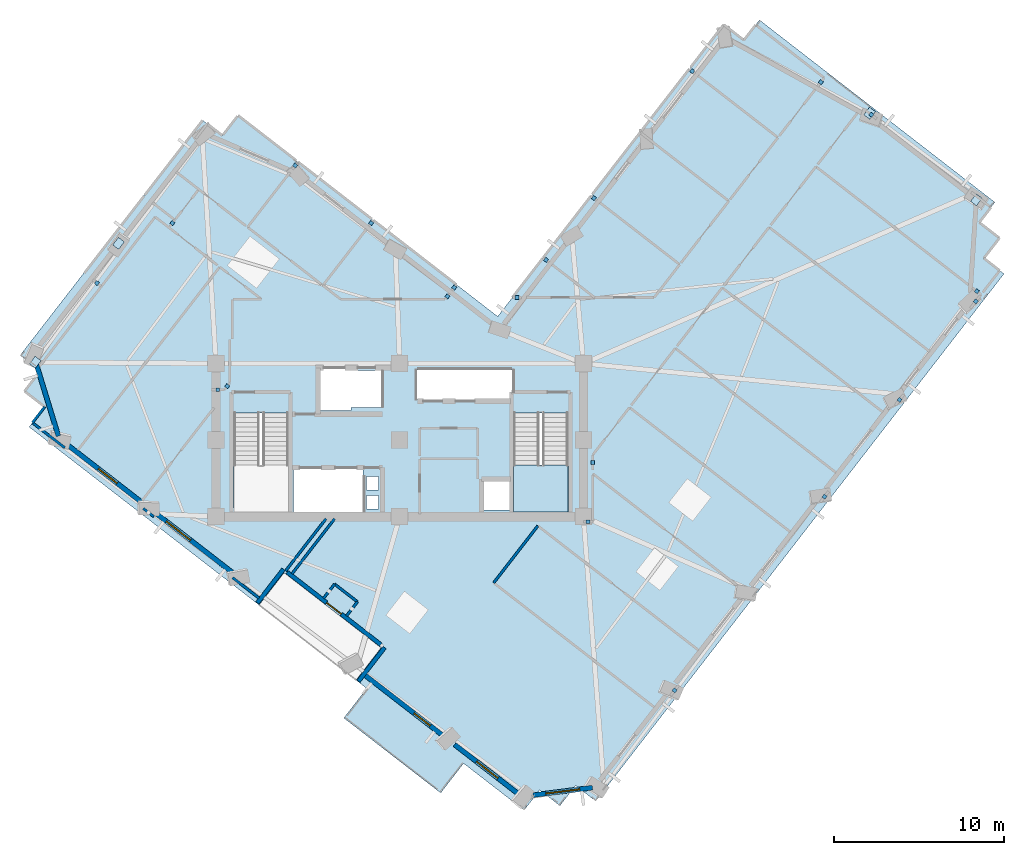
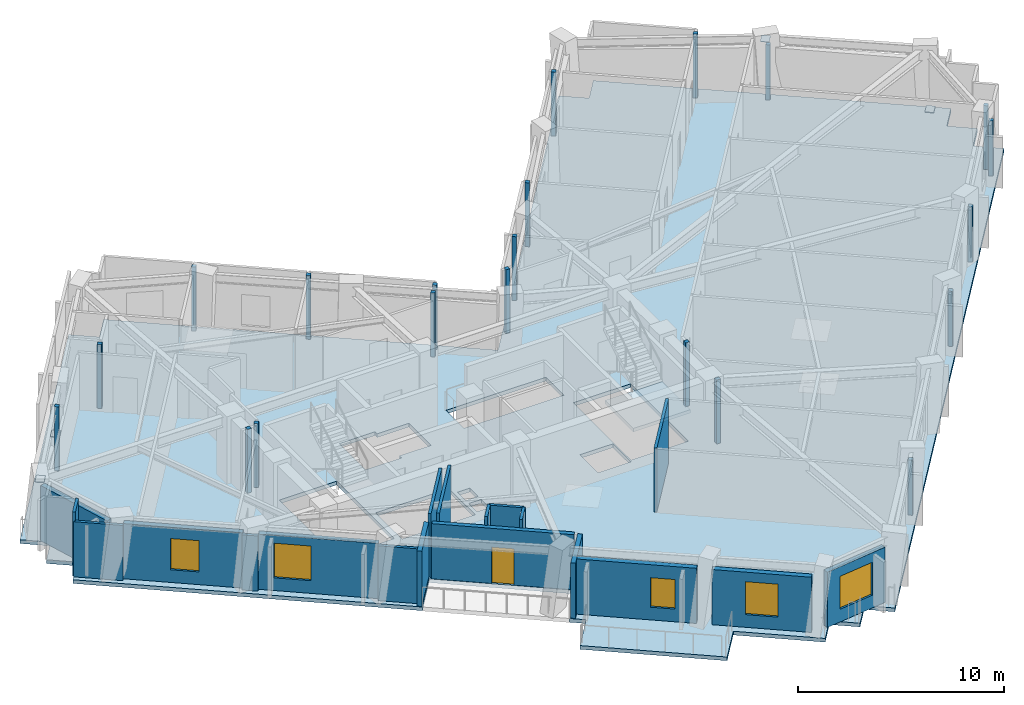
# One storey, part 3 of 12: 25 plates, 19 walls, 5 windows, 2 slabs, 1 door, 6 openings, 1 element without a shape of its own.
"""IFC4 building model written with IfcOpenShell, lengths in metres."""

from ifc_helpers import new_model, si_unit, direction, frame, frame_2d, origin, origin_2d, place, context, subcontext, project, spatial, polyline, rectangle, outline, extrude, material, layer, layer_set, type_object, element, fill, aggregate, save


model = new_model("IFC4")

# Units and contexts
model_context = context("Model", 3, precision=1e-05, world=origin(), true_north=direction((0.0, 1.0)))
body_context = subcontext(model_context, "Body", "Model", "MODEL_VIEW")
ifc_project = project(units=[si_unit("LENGTHUNIT", "METRE"), si_unit("AREAUNIT", "SQUARE_METRE"), si_unit("VOLUMEUNIT", "CUBIC_METRE"), si_unit("PLANEANGLEUNIT", "RADIAN"), si_unit("MASSUNIT", "GRAM", prefix="KILO")], contexts=[model_context])

# Site, building, storey
site_placement = place(None, origin())
site = spatial("IfcSite", under=ifc_project, at=site_placement, CompositionType="ELEMENT")
building_placement = place(site_placement, origin())
building = spatial("IfcBuilding", under=site, at=building_placement, Name="Gaonmaruhae Medical Tower", CompositionType="ELEMENT")
storey_placement = place(building_placement, frame((0.0, 0.0, 247.199951171875)))
storey = spatial("IfcBuildingStorey", under=building, at=storey_placement, Name="L59", CompositionType="ELEMENT", Elevation=247.199951171875)

# Slab
ifc_material_1 = material(Name="Concrete C40/50", Category="concrete")
ifc_layer_1 = layer(ifc_material_1, 0.219970703125)
ifc_layer_set_1 = layer_set([ifc_layer_1], Name="Concrete C40/50")
slab_type_1 = type_object("IfcSlabType", Name="FS-220 Clinical Ward Composite Floor Slab", PredefinedType="FLOOR", material=ifc_layer_set_1)
slab_1_placement = place(storey_placement, frame((0.0, 0.0, -0.219970703125)))
element("IfcSlab", 1, at=slab_1_placement, inside=storey, type_object=slab_type_1, Name="L59 Structural Slab 1", PredefinedType="FLOOR", context=body_context, shape_type="SweptSolid", body=[
    extrude(outline(polyline([(3.9345703125, 14.25439453125), (2.74853515625, 15.172607421875), (3.666748046875, 16.35888671875), (2.480712890625, 17.277099609375), (13.194580078125, 31.1142578125), (14.380615234375, 30.19580078125), (15.298828125, 31.3818359375), (30.55908203125, 19.566162109375), (43.844482421875, 36.72412109375), (45.030517578125, 35.8056640625), (45.94873046875, 36.99169921875), (59.785888671875, 26.278076171875), (58.867431640625, 25.091796875), (60.053466796875, 24.173583984375), (59.13525390625, 22.987548828125), (60.3212890625, 22.069091796875), (36.322265625, -8.92578125), (35.13623046875, -8.007568359375), (34.218017578125, -9.193603515625), (33.031982421875, -8.275146484375), (32.113525390625, -9.461181640625), (28.555419921875, -6.706298828125), (27.20849609375, -8.44580078125), (21.515625, -4.037841796875), (22.862548828125, -2.29833984375), (22.22998046875, -1.80859375), (23.69921875, 0.089111328125), (18.00634765625, 4.4970703125), (16.537109375, 2.599609375), (3.01611328125, 13.068359375), (3.9345703125, 14.25439453125)]), holes=[polyline([(23.550048828125, 8.25), (22.85009765625, 8.25), (22.85009765625, 9.050048828125), (23.550048828125, 9.050048828125), (23.550048828125, 8.25)]), polyline([(31.425048828125, 9.925048828125), (31.425048828125, 8.175048828125), (29.574951171875, 8.175048828125), (29.574951171875, 9.925048828125), (31.425048828125, 9.925048828125)]), polyline([(22.64990234375, 10.625), (22.64990234375, 8.074951171875), (18.550048828125, 8.074951171875), (18.550048828125, 10.625), (22.64990234375, 10.625)]), polyline([(23.550048828125, 9.35009765625), (22.85009765625, 9.35009765625), (22.85009765625, 10.14990234375), (23.550048828125, 10.14990234375), (23.550048828125, 9.35009765625)]), polyline([(15.050048828125, 13.889892578125), (18.25, 13.889892578125), (18.25, 8.300048828125), (15.050048828125, 8.300048828125), (15.050048828125, 13.889892578125)]), polyline([(31.5, 13.889892578125), (34.699951171875, 13.889892578125), (34.699951171875, 8.300048828125), (31.5, 8.300048828125), (31.5, 13.889892578125)]), polyline([(21.949951171875, 14.22509765625), (21.949951171875, 14.02490234375), (19.949951171875, 14.02490234375), (19.949951171875, 16.574951171875), (21.949951171875, 16.574951171875), (21.949951171875, 16.375), (23.72509765625, 16.375), (23.72509765625, 14.22509765625), (21.949951171875, 14.22509765625)]), polyline([(31.425048828125, 16.425048828125), (31.425048828125, 14.675048828125), (25.824951171875, 14.675048828125), (25.824951171875, 16.425048828125), (31.425048828125, 16.425048828125)])]), origin(), (0.0, 0.0, 1.0), 0.219970703125),
])

# Plates
ifc_material_2 = material(Name="Steel HSA650 (650 MPa)", Category="steel")
ifc_layer_2 = layer(ifc_material_2, 0.028076171875)
ifc_layer_set_2 = layer_set([ifc_layer_2], Name="Steel HSA650 (650 MPa)")
plate_type_1 = type_object("IfcPlateType", Name="GP-02 Tube Brace End Cap Gusset Plate", PredefinedType="USERDEFINED", material=ifc_layer_set_2)
for number, where, z_axis, x_axis, name in (
    (2, (58.697998046875, 26.4248046875, 0.23583984375), (0.0, 0.0, 1.0), (0.612217280034, 0.790689573744, 0.0), "L59 Gusset Cap Plate PLT-L59-PBR-E01A"),
    (3, (52.421875, 31.512939453125, 3.51611328125), (0.0, 0.0, 1.0), (0.599023598516, 0.800731370949, 0.0), "L59 Gusset Cap Plate PLT-L59-PBR-E01B"),
    (4, (8.2724609375, 23.85888671875, 0.23583984375), (0.0, 0.0, 1.0), (0.612217280034, 0.790689573744, 0.0), "L59 Gusset Cap Plate PLT-L59-PBR-N02A"),
    (5, (3.379638671875, 16.873046875, 3.51611328125), (0.0, 0.0, 1.0), (0.599023598516, 0.800731370949, 0.0), "L59 Gusset Cap Plate PLT-L59-PBR-N02B"),
):
    element("IfcPlate", number, at=place(storey_placement, frame(where, z_axis=z_axis, x_axis=x_axis)), inside=storey, type_object=plate_type_1, Name=name, ObjectType="GUSSET_PLATE", PredefinedType="USERDEFINED", context=body_context, shape_type="SweptSolid", body=[
        extrude(rectangle(XDim=0.56005859375, YDim=0.43994140625, at=origin_2d()), origin(), (0.0, 0.0, 1.0), 0.028076171875),
    ])
ifc_material_3 = material(Name="Anodised aluminium 6063-T6", Category="aluminium")
ifc_layer_3 = layer(ifc_material_3, 0.011962890625)
ifc_layer_set_3 = layer_set([ifc_layer_3], Name="Anodised aluminium 6063-T6")
plate_type_2 = type_object("IfcPlateType", Name="PP-01 Interior Partition Corner Stiffener Plate", PredefinedType="SHEET", material=ifc_layer_set_3)
plate_1_placement = place(storey_placement, frame((40.9580078125, -2.41552734375, 0.0), z_axis=(0.0, 0.0, 1.0), x_axis=(-0.613472319751, -0.789716223019, 0.0)))
element("IfcPlate", 6, at=plate_1_placement, inside=storey, type_object=plate_type_2, Name="L59 Partition Corner Stiffener Plate PLT-L59-JGP-PW009", PredefinedType="SHEET", context=body_context, shape_type="SweptSolid", body=[
    extrude(rectangle(XDim=0.219970703125, YDim=0.219970703125, at=origin_2d()), origin(), (0.0, 0.0, 1.0), 3.264892578125),
])
for number, where, z_axis, x_axis, name in (
    (7, (35.875, 7.5, 0.0), (0.0, 0.0, 1.0), (1.0, 0.0, 0.0), "L59 Partition Corner Stiffener Plate PLT-L59-JGP-PW012"),
    (8, (36.14990234375, 10.9794921875, 0.0), (0.0, 0.0, 1.0), (0.0, 1.0, 0.0), "L59 Partition Corner Stiffener Plate PLT-L59-JGP-PW015"),
):
    element("IfcPlate", number, at=place(storey_placement, frame(where, z_axis=z_axis, x_axis=x_axis)), inside=storey, type_object=plate_type_2, Name=name, PredefinedType="SHEET", context=body_context, shape_type="SweptSolid", body=[
        extrude(rectangle(XDim=0.219970703125, YDim=0.219970703125, at=origin_2d()), origin(), (0.0, 0.0, 1.0), 3.780029296875),
    ])
for number, where, z_axis, x_axis, name in (
    (9, (49.77392578125, 8.969482421875, 0.0), (0.0, 0.0, 1.0), (-0.612631200187, -0.790368909154, 0.0), "L59 Partition Corner Stiffener Plate PLT-L59-JGP-PW019"),
    (10, (54.180908203125, 14.662109375, 0.0), (0.0, 0.0, 1.0), (-0.611665125429, -0.791116789314, 0.0), "L59 Partition Corner Stiffener Plate PLT-L59-JGP-PW024"),
):
    element("IfcPlate", number, at=place(storey_placement, frame(where, z_axis=z_axis, x_axis=x_axis)), inside=storey, type_object=plate_type_2, Name=name, PredefinedType="SHEET", context=body_context, shape_type="SweptSolid", body=[
        extrude(rectangle(XDim=0.219970703125, YDim=0.219970703125, at=origin_2d()), origin(), (0.0, 0.0, 1.0), 3.264892578125),
    ])
plate_2_placement = place(storey_placement, frame((58.721923828125, 21.050048828125, 0.0), z_axis=(0.0, 0.0, 1.0), x_axis=(0.79052926854, -0.612424261098, 0.0)))
element("IfcPlate", 11, at=plate_2_placement, inside=storey, type_object=plate_type_2, Name="L59 Partition Corner Stiffener Plate PLT-L59-JGP-PW027", PredefinedType="SHEET", context=body_context, shape_type="SweptSolid", body=[
    extrude(rectangle(XDim=0.219970703125, YDim=0.219970703125, at=origin_2d()), origin(), (0.0, 0.0, 1.0), 3.780029296875),
])
for number, where, z_axis, x_axis, name in (
    (12, (58.6640625, 20.451904296875, 0.0), (0.0, 0.0, 1.0), (-0.611899827578, -0.790935269798, 0.0), "L59 Partition Corner Stiffener Plate PLT-L59-JGP-PW028"),
    (13, (52.5205078125, 31.423583984375, 0.0), (0.0, 0.0, 1.0), (0.790582709629, -0.612355272073, 0.0), "L59 Partition Corner Stiffener Plate PLT-L59-JGP-PW033"),
):
    element("IfcPlate", number, at=place(storey_placement, frame(where, z_axis=z_axis, x_axis=x_axis)), inside=storey, type_object=plate_type_2, Name=name, PredefinedType="SHEET", context=body_context, shape_type="SweptSolid", body=[
        extrude(rectangle(XDim=0.219970703125, YDim=0.219970703125, at=origin_2d()), origin(), (0.0, 0.0, 1.0), 3.264892578125),
    ])
for number, where, z_axis, x_axis, name in (
    (14, (14.660888671875, 15.465576171875, 0.0), (0.0, 0.0, 1.0), (-0.611941240013, -0.790903229713, 0.0), "L59 Partition Corner Stiffener Plate PLT-L59-JGP-PW050"),
    (15, (14.10107421875, 15.260009765625, 0.0), (0.0, 0.0, 1.0), (-1.0, 0.0, 0.0), "L59 Partition Corner Stiffener Plate PLT-L59-JGP-PW051"),
    (16, (36.219970703125, 26.52197265625, 0.0), (0.0, 0.0, 1.0), (0.791084761518, -0.611706547368, 0.0), "L59 Partition Corner Stiffener Plate PLT-L59-JGP-PW062"),
    (17, (33.405029296875, 22.885986328125, 0.0), (0.0, 0.0, 1.0), (-0.791084761518, 0.611706547368, 0.0), "L59 Partition Corner Stiffener Plate PLT-L59-JGP-PW067"),
    (18, (41.99609375, 33.98193359375, 0.0), (0.0, 0.0, 1.0), (0.791084761518, -0.611706547368, 0.0), "L59 Partition Corner Stiffener Plate PLT-L59-JGP-PW073"),
    (19, (49.556884765625, 33.337890625, 0.0), (0.0, 0.0, 1.0), (-0.612424261098, -0.79052926854, 0.0), "L59 Partition Corner Stiffener Plate PLT-L59-JGP-PW077"),
    (20, (23.1201171875, 25.051025390625, 0.0), (0.0, 0.0, 1.0), (0.611706547368, 0.791084761518, 0.0), "L59 Partition Corner Stiffener Plate PLT-L59-JGP-PW084"),
    (21, (28.007080078125, 21.26708984375, 0.0), (0.0, 0.0, 1.0), (-0.611706547368, -0.791084761518, 0.0), "L59 Partition Corner Stiffener Plate PLT-L59-JGP-PW086"),
    (22, (27.603515625, 20.7470703125, 0.0), (0.0, 0.0, 1.0), (-0.612796721226, -0.790240582642, 0.0), "L59 Partition Corner Stiffener Plate PLT-L59-JGP-PW087"),
    (23, (18.658447265625, 28.43603515625, 0.0), (0.0, 0.0, 1.0), (0.612286278385, 0.790636144697, 0.0), "L59 Partition Corner Stiffener Plate PLT-L59-JGP-PW090"),
    (24, (7.00244140625, 21.528564453125, 0.0), (0.0, 0.0, 1.0), (-0.790753680652, 0.612134475859, 0.0), "L59 Partition Corner Stiffener Plate PLT-L59-JGP-PW097"),
    (25, (11.4365234375, 25.053955078125, 0.0), (0.0, 0.0, 1.0), (-0.612051664971, -0.790817778888, 0.0), "L59 Partition Corner Stiffener Plate PLT-L59-JGP-PW100"),
    (26, (31.697021484375, 20.679931640625, 0.0), (0.0, 0.0, 1.0), (-1.0, 0.0, 0.0), "L59 Partition Corner Stiffener Plate PLT-L59-JGP-PW105"),
):
    element("IfcPlate", number, at=place(storey_placement, frame(where, z_axis=z_axis, x_axis=x_axis)), inside=storey, type_object=plate_type_2, Name=name, PredefinedType="SHEET", context=body_context, shape_type="SweptSolid", body=[
        extrude(rectangle(XDim=0.219970703125, YDim=0.219970703125, at=origin_2d()), origin(), (0.0, 0.0, 1.0), 3.780029296875),
    ])

# Stair, slab
stair_type = type_object("IfcStairType", Name="ST-T1 Primary Core Escape Dogleg Stair", PredefinedType="TWO_QUARTER_TURN_STAIR", material=ifc_material_1)
stair_placement = place(storey_placement, origin())
stair = element("IfcStair", 27, at=stair_placement, inside=storey, type_object=stair_type, Name="L59 Protected Escape Stair ST-02", PredefinedType="TWO_QUARTER_TURN_STAIR")
ifc_layer_4 = layer(ifc_material_1, 0.199951171875)
ifc_layer_set_4 = layer_set([ifc_layer_4], Name="Concrete C40/50")
slab_type_2 = type_object("IfcSlabType", Name="SL-200 Stair & Ramp Intermediate Concrete Landing", PredefinedType="LANDING", material=ifc_layer_set_4)
slab_2_placement = place(storey_placement, frame((0.0, 0.0, 1.800048828125)))
slab_2 = element("IfcSlab", 28, at=slab_2_placement, type_object=slab_type_2, Name="ST-02 landing 1", PredefinedType="LANDING", context=body_context, shape_type="SweptSolid", body=[
    extrude(outline(polyline([(31.5, 10.820068359375), (31.5, 8.0791015625), (34.699951171875, 8.0791015625), (34.699951171875, 10.820068359375), (31.5, 10.820068359375)])), origin(), (0.0, 0.0, 1.0), 0.199951171875),
])
aggregate(stair, [slab_2])

# Wall, opening, door
ifc_material_4 = material(Name="Precast concrete C45/55", Category="concrete")
ifc_layer_5 = layer(ifc_material_4, 0.239990234375)
ifc_layer_set_5 = layer_set([ifc_layer_5], Name="Precast concrete C45/55")
wall_type_1 = type_object("IfcWallType", Name="EW-240 Ribbon & Shelter Insulated Precast Wall", PredefinedType="SOLIDWALL", material=ifc_layer_set_5)
wall_1_placement = place(storey_placement, frame((23.690185546875, 0.273193359375, 0.0), z_axis=(0.0, 0.0, 1.0), x_axis=(-0.790674409878, 0.612236863937, 0.0)))
wall_1 = element("IfcWall", 29, at=wall_1_placement, inside=storey, type_object=wall_type_1, Name="L59 Recessed Terrace Enclosure Wall TERB", PredefinedType="SOLIDWALL", context=body_context, shape_type="SweptSolid", body=[
    extrude(rectangle(XDim=6.960205078125, YDim=0.239990234375, at=frame_2d((3.47998046875, 0.0))), origin(), (0.0, 0.0, 1.0), 3.26513671875),
])
opening_1_placement = place(wall_1_placement, frame((2.929931640625, 0.0, 0.0)))
opening_1 = element("IfcOpeningElement", 30, at=opening_1_placement, cuts=wall_1, Name="Opening TD-01", PredefinedType="OPENING", context=body_context, shape_type="SweptSolid", body=[
    extrude(rectangle(XDim=1.10009765625, YDim=2.14990234375, at=frame_2d((0.550048828125, 1.074951171875))), frame((0.0, 0.1298828125, 0.0), z_axis=(0.0, -1.0, 0.0), x_axis=(1.0, 0.0, 0.0)), (0.0, 0.0, 1.0), 0.260009765625),
])
ifc_material_5 = material(Name="Anodised aluminium and toughened safety glass", Category="aluminium")
door_type = type_object("IfcDoorType", Name="TD-01 Terrace & Sky Garden Glazed Door 1100x2150", OperationType="NOTDEFINED", PredefinedType="DOOR", material=ifc_material_5)
door_placement = place(opening_1_placement, origin())
door = element("IfcDoor", 31, at=door_placement, inside=storey, type_object=door_type, Name="L59 Outdoor Terrace Access Door SLB-L59-TER", OperationType="SINGLE_SWING_LEFT", OverallHeight=2.14990234375, OverallWidth=1.10009765625, PredefinedType="DOOR", context=body_context, shape_type="SweptSolid", body=[
    extrude(rectangle(XDim=1.10009765625, YDim=2.14990234375, at=frame_2d((0.550048828125, 1.074951171875))), frame((0.0, 0.02490234375, 0.0), z_axis=(0.0, -1.0, 0.0), x_axis=(1.0, 0.0, 0.0)), (0.0, 0.0, 1.0), 0.050048828125),
])
fill(opening_1, door)

# Walls
for number, where, z_axis, x_axis, name in (
    (32, (22.380859375, -1.874755859375, 0.0), (0.0, 0.0, 1.0), (0.612303180942, 0.79062305469, 0.0), "L59 Recessed Terrace Enclosure Wall TERL"),
    (33, (17.965576171875, 4.705810546875, 0.0), (0.0, 0.0, 1.0), (-0.612194858421, -0.790706933903, 0.0), "L59 Recessed Terrace Enclosure Wall TERR"),
):
    element("IfcWall", number, at=place(storey_placement, frame(where, z_axis=z_axis, x_axis=x_axis)), inside=storey, type_object=wall_type_1, Name=name, PredefinedType="SOLIDWALL", context=body_context, shape_type="SweptSolid", body=[
        extrude(rectangle(XDim=2.5, YDim=0.239990234375, at=frame_2d((1.25, 0.0))), origin(), (0.0, 0.0, 1.0), 3.26513671875),
    ])
ifc_layer_6 = layer(ifc_material_4, 0.280029296875)
ifc_layer_set_6 = layer_set([ifc_layer_6], Name="Precast concrete C45/55")
wall_type_2 = type_object("IfcWallType", Name="EW-280 Upper Precast Masonry-Frame Facade Wall", PredefinedType="SOLIDWALL", material=ifc_layer_set_6)
wall_2_placement = place(storey_placement, frame((4.735595703125, 12.533203125, 0.0), z_axis=(0.0, 0.0, 1.0), x_axis=(-0.29287135158, 0.956151855839, 0.0)))
element("IfcWall", 34, at=wall_2_placement, inside=storey, type_object=wall_type_2, Name="L59 Precast Masonry-Frame Wall N03-W01", PredefinedType="SOLIDWALL", context=body_context, shape_type="SweptSolid", body=[
    extrude(rectangle(XDim=4.408203125, YDim=0.280029296875, at=frame_2d((2.2041015625, 0.0))), origin(), (0.0, 0.0, 1.0), 3.26513671875),
])

# Wall, opening, window
wall_3_placement = place(storey_placement, frame((9.865478515625, 8.460693359375, 0.0), z_axis=(0.0, 0.0, 1.0), x_axis=(-0.790689704837, 0.612217110725, 0.0)))
wall_3 = element("IfcWall", 35, at=wall_3_placement, inside=storey, type_object=wall_type_2, Name="L59 Precast Masonry-Frame Wall W01-W02", PredefinedType="SOLIDWALL", context=body_context, shape_type="SweptSolid", body=[
    extrude(rectangle(XDim=5.830078125, YDim=0.280029296875, at=frame_2d((2.9150390625, 0.0))), origin(), (0.0, 0.0, 1.0), 3.26513671875),
])
opening_2_placement = place(wall_3_placement, frame((2.11669921875, 0.0, 0.75)))
opening_2 = element("IfcOpeningElement", 36, at=opening_2_placement, cuts=wall_3, Name="Opening WN-03", PredefinedType="OPENING", context=body_context, shape_type="SweptSolid", body=[
    extrude(rectangle(XDim=1.39990234375, YDim=1.85009765625, at=frame_2d((0.699951171875, 0.925048828125))), frame((0.0, 0.14990234375, 0.0), z_axis=(0.0, -1.0, 0.0), x_axis=(1.0, 0.0, 0.0)), (0.0, 0.0, 1.0), 0.300048828125),
])
ifc_material_6 = material(Name="Anodised aluminium and Low-E double glazing", Category="aluminium")
window_type_1 = type_object("IfcWindowType", Name="WN-03 Isolation Ward Punched Window 1400x1850", PartitioningType="SINGLE_PANEL", PredefinedType="WINDOW", material=ifc_material_6)
window_1_placement = place(opening_2_placement, origin())
window_1 = element("IfcWindow", 37, at=window_1_placement, inside=storey, type_object=window_type_1, Name="L59 Modular Facade Window W01", OverallHeight=1.85009765625, OverallWidth=1.39990234375, PartitioningType="SINGLE_PANEL", PredefinedType="WINDOW", context=body_context, shape_type="SweptSolid", body=[
    extrude(rectangle(XDim=1.39990234375, YDim=1.85009765625, at=frame_2d((0.699951171875, 0.925048828125))), frame((0.0, 0.030029296875, 0.0), z_axis=(0.0, -1.0, 0.0), x_axis=(1.0, 0.0, 0.0)), (0.0, 0.0, 1.0), 0.06005859375),
])
fill(opening_2, window_1)

wall_4_placement = place(storey_placement, frame((15.11865234375, 4.393310546875, 0.0), z_axis=(0.0, 0.0, 1.0), x_axis=(-0.790702891909, 0.612200079, 0.0)))
wall_4 = element("IfcWall", 38, at=wall_4_placement, inside=storey, type_object=wall_type_2, Name="L59 Precast Masonry-Frame Wall W02-W03", PredefinedType="SOLIDWALL", context=body_context, shape_type="SweptSolid", body=[
    extrude(rectangle(XDim=5.860595703125, YDim=0.280029296875, at=frame_2d((2.93017578125, 0.0))), origin(), (0.0, 0.0, 1.0), 3.26513671875),
])
opening_3_placement = place(wall_4_placement, frame((3.303955078125, 0.0, 0.75)))
opening_3 = element("IfcOpeningElement", 39, at=opening_3_placement, cuts=wall_4, Name="Opening WN-04", PredefinedType="OPENING", context=body_context, shape_type="SweptSolid", body=[
    extrude(rectangle(XDim=1.800048828125, YDim=2.050048828125, at=frame_2d((0.89990234375, 1.02490234375))), frame((0.0, 0.14990234375, 0.0), z_axis=(0.0, -1.0, 0.0), x_axis=(1.0, 0.0, 0.0)), (0.0, 0.0, 1.0), 0.300048828125),
])
window_type_2 = type_object("IfcWindowType", Name="WN-04 Clinic & Consult Punched Window 1800x2050", PartitioningType="SINGLE_PANEL", PredefinedType="WINDOW", material=ifc_material_6)
window_2_placement = place(opening_3_placement, origin())
window_2 = element("IfcWindow", 40, at=window_2_placement, inside=storey, type_object=window_type_2, Name="L59 Modular Facade Window W02", OverallHeight=2.050048828125, OverallWidth=1.800048828125, PartitioningType="SINGLE_PANEL", PredefinedType="WINDOW", context=body_context, shape_type="SweptSolid", body=[
    extrude(rectangle(XDim=1.800048828125, YDim=2.050048828125, at=frame_2d((0.89990234375, 1.02490234375))), frame((0.0, 0.030029296875, 0.0), z_axis=(0.0, -1.0, 0.0), x_axis=(1.0, 0.0, 0.0)), (0.0, 0.0, 1.0), 0.06005859375),
])
fill(opening_3, window_2)

wall_5_placement = place(storey_placement, frame((27.42626953125, -5.13623046875, 0.0), z_axis=(0.0, 0.0, 1.0), x_axis=(-0.790703259269, 0.612199604526, 0.0)))
wall_5 = element("IfcWall", 41, at=wall_5_placement, inside=storey, type_object=wall_type_2, Name="L59 Precast Masonry-Frame Wall W04-W05", PredefinedType="SOLIDWALL", context=body_context, shape_type="SweptSolid", body=[
    extrude(rectangle(XDim=5.9658203125, YDim=0.280029296875, at=frame_2d((2.98291015625, 0.0))), origin(), (0.0, 0.0, 1.0), 3.26513671875),
])
opening_4_placement = place(wall_5_placement, frame((1.052490234375, 0.0, 0.75)))
opening_4 = element("IfcOpeningElement", 42, at=opening_4_placement, cuts=wall_5, Name="Opening WN-05", PredefinedType="OPENING", context=body_context, shape_type="SweptSolid", body=[
    extrude(rectangle(XDim=1.199951171875, YDim=1.75, at=frame_2d((0.60009765625, 0.875))), frame((0.0, 0.14990234375, 0.0), z_axis=(0.0, -1.0, 0.0), x_axis=(1.0, 0.0, 0.0)), (0.0, 0.0, 1.0), 0.300048828125),
])
window_type_3 = type_object("IfcWindowType", Name="WN-05 Support & Staff Punched Window 1200x1750", PartitioningType="SINGLE_PANEL", PredefinedType="WINDOW", material=ifc_material_6)
window_3_placement = place(opening_4_placement, origin())
window_3 = element("IfcWindow", 43, at=window_3_placement, inside=storey, type_object=window_type_3, Name="L59 Modular Facade Window W04", OverallHeight=1.75, OverallWidth=1.199951171875, PartitioningType="SINGLE_PANEL", PredefinedType="WINDOW", context=body_context, shape_type="SweptSolid", body=[
    extrude(rectangle(XDim=1.199951171875, YDim=1.75, at=frame_2d((0.60009765625, 0.875))), frame((0.0, 0.030029296875, 0.0), z_axis=(0.0, -1.0, 0.0), x_axis=(1.0, 0.0, 0.0)), (0.0, 0.0, 1.0), 0.06005859375),
])
fill(opening_4, window_3)

wall_6_placement = place(storey_placement, frame((31.867431640625, -8.574951171875, 0.0), z_axis=(0.0, 0.0, 1.0), x_axis=(-0.790679737712, 0.612229983235, 0.0)))
wall_6 = element("IfcWall", 44, at=wall_6_placement, inside=storey, type_object=wall_type_2, Name="L59 Precast Masonry-Frame Wall W05-W06", PredefinedType="SOLIDWALL", context=body_context, shape_type="SweptSolid", body=[
    extrude(rectangle(XDim=4.85546875, YDim=0.280029296875, at=frame_2d((2.427734375, 0.0))), origin(), (0.0, 0.0, 1.0), 3.26513671875),
])
opening_5_placement = place(wall_6_placement, frame((1.632568359375, 0.0, 0.75)))
opening_5 = element("IfcOpeningElement", 45, at=opening_5_placement, cuts=wall_6, Name="Opening WN-01", PredefinedType="OPENING", context=body_context, shape_type="SweptSolid", body=[
    extrude(rectangle(XDim=1.60009765625, YDim=1.949951171875, at=frame_2d((0.800048828125, 0.97509765625))), frame((0.0, 0.14990234375, 0.0), z_axis=(0.0, -1.0, 0.0), x_axis=(1.0, 0.0, 0.0)), (0.0, 0.0, 1.0), 0.300048828125),
])
window_type_4 = type_object("IfcWindowType", Name="WN-01 Ward Punched Acoustic Window 1600x1950", PartitioningType="SINGLE_PANEL", PredefinedType="WINDOW", material=ifc_material_6)
window_4_placement = place(opening_5_placement, origin())
window_4 = element("IfcWindow", 46, at=window_4_placement, inside=storey, type_object=window_type_4, Name="L59 Modular Facade Window W05", OverallHeight=1.949951171875, OverallWidth=1.60009765625, PartitioningType="SINGLE_PANEL", PredefinedType="WINDOW", context=body_context, shape_type="SweptSolid", body=[
    extrude(rectangle(XDim=1.60009765625, YDim=1.949951171875, at=frame_2d((0.800048828125, 0.97509765625))), frame((0.0, 0.030029296875, 0.0), z_axis=(0.0, -1.0, 0.0), x_axis=(1.0, 0.0, 0.0)), (0.0, 0.0, 1.0), 0.06005859375),
])
fill(opening_5, window_4)

wall_7_placement = place(storey_placement, frame((36.1318359375, -8.13037109375, 0.0), z_axis=(0.0, 0.0, 1.0), x_axis=(-0.992003437749, -0.126210853317, 0.0)))
wall_7 = element("IfcWall", 47, at=wall_7_placement, inside=storey, type_object=wall_type_2, Name="L59 Precast Masonry-Frame Wall W06-S01", PredefinedType="SOLIDWALL", context=body_context, shape_type="SweptSolid", body=[
    extrude(rectangle(XDim=3.5205078125, YDim=0.280029296875, at=frame_2d((1.76025390625, 0.0))), origin(), (0.0, 0.0, 1.0), 3.26513671875),
])
opening_6_placement = place(wall_7_placement, frame((0.759765625, 0.0, 0.75)))
opening_6 = element("IfcOpeningElement", 48, at=opening_6_placement, cuts=wall_7, Name="Opening WN-02", PredefinedType="OPENING", context=body_context, shape_type="SweptSolid", body=[
    extrude(rectangle(XDim=2.0, YDim=1.949951171875, at=frame_2d((1.0, 0.97509765625))), frame((0.0, 0.14990234375, 0.0), z_axis=(0.0, -1.0, 0.0), x_axis=(1.0, 0.0, 0.0)), (0.0, 0.0, 1.0), 0.300048828125),
])
window_type_5 = type_object("IfcWindowType", Name="WN-02 Double-Bed Ward Punched Window 2000x1950", PartitioningType="SINGLE_PANEL", PredefinedType="WINDOW", material=ifc_material_6)
window_5_placement = place(opening_6_placement, origin())
window_5 = element("IfcWindow", 49, at=window_5_placement, inside=storey, type_object=window_type_5, Name="L59 Modular Facade Window W06", OverallHeight=1.949951171875, OverallWidth=2.0, PartitioningType="SINGLE_PANEL", PredefinedType="WINDOW", context=body_context, shape_type="SweptSolid", body=[
    extrude(rectangle(XDim=2.0, YDim=1.949951171875, at=frame_2d((1.0, 0.97509765625))), frame((0.0, 0.030029296875, 0.0), z_axis=(0.0, -1.0, 0.0), x_axis=(1.0, 0.0, 0.0)), (0.0, 0.0, 1.0), 0.06005859375),
])
fill(opening_6, window_5)

# Walls
ifc_material_7 = material(Name="Gypsum board partition", Category="gypsum")
ifc_layer_7 = layer(ifc_material_7, 0.14990234375)
ifc_layer_set_7 = layer_set([ifc_layer_7], Name="Gypsum board partition")
wall_type_3 = type_object("IfcWallType", Name="PW-150 Rated Clinical Corridor Partition", PredefinedType="PARTITIONING", material=ifc_layer_set_7)
wall_8_placement = place(storey_placement, frame((30.323974609375, 3.907958984375, 0.0), z_axis=(0.0, 0.0, 1.0), x_axis=(0.612292812762, 0.790631084287, 0.0)))
element("IfcWall", 50, at=wall_8_placement, inside=storey, type_object=wall_type_3, Name="L59 Interior Partition L59-SUP03-7", PredefinedType="PARTITIONING", context=body_context, shape_type="SweptSolid", body=[
    extrude(rectangle(XDim=4.23974609375, YDim=0.14990234375, at=frame_2d((2.119873046875, 0.0))), origin(), (0.0, 0.0, 1.0), 3.780029296875),
])
wall_9_placement = place(storey_placement, frame((21.6689453125, 1.958984375, 0.0), z_axis=(0.0, 0.0, 1.0), x_axis=(0.61236922137, 0.790571904838, 0.0)))
element("IfcWall", 51, at=wall_9_placement, inside=storey, type_object=wall_type_3, Name="L59 Interior Partition L59-WOF12-39", PredefinedType="PARTITIONING", context=body_context, shape_type="SweptSolid", body=[
    extrude(rectangle(XDim=1.054931640625, YDim=0.14990234375, at=frame_2d((0.52734375, 0.0))), origin(), (0.0, 0.0, 1.0), 3.780029296875),
])
wall_10_placement = place(storey_placement, frame((22.31494140625, 2.79296875, 0.0), z_axis=(0.0, 0.0, 1.0), x_axis=(-0.790795428536, 0.612080542254, 0.0)))
element("IfcWall", 52, at=wall_10_placement, inside=storey, type_object=wall_type_3, Name="L59 Interior Partition L59-WOF12-40", PredefinedType="PARTITIONING", context=body_context, shape_type="SweptSolid", body=[
    extrude(rectangle(XDim=1.70068359375, YDim=0.14990234375, at=frame_2d((0.850341796875, 0.0))), origin(), (0.0, 0.0, 1.0), 3.780029296875),
])
wall_11_placement = place(storey_placement, frame((20.969970703125, 3.833984375, 0.0), z_axis=(0.0, 0.0, 1.0), x_axis=(-0.611921285633, -0.790918668505, 0.0)))
element("IfcWall", 53, at=wall_11_placement, inside=storey, type_object=wall_type_3, Name="L59 Interior Partition L59-WOF12-41", PredefinedType="PARTITIONING", context=body_context, shape_type="SweptSolid", body=[
    extrude(rectangle(XDim=1.0556640625, YDim=0.14990234375, at=frame_2d((0.52783203125, 0.0))), origin(), (0.0, 0.0, 1.0), 3.780029296875),
])
wall_12_placement = place(storey_placement, frame((18.467041015625, 4.43798828125, 0.0), z_axis=(0.0, 0.0, 1.0), x_axis=(0.612067264166, 0.79080570568, 0.0)))
element("IfcWall", 54, at=wall_12_placement, inside=storey, type_object=wall_type_3, Name="L59 Interior Partition L59-WOF12-42", PredefinedType="PARTITIONING", context=body_context, shape_type="SweptSolid", body=[
    extrude(rectangle(XDim=4.0908203125, YDim=0.14990234375, at=frame_2d((2.04541015625, 0.0))), origin(), (0.0, 0.0, 1.0), 3.780029296875),
])
wall_13_placement = place(storey_placement, frame((20.465087890625, 7.673095703125, 0.0), z_axis=(0.0, 0.0, 1.0), x_axis=(-0.612173192991, -0.790723707614, 0.0)))
element("IfcWall", 55, at=wall_13_placement, inside=storey, type_object=wall_type_3, Name="L59 Interior Partition L59-WOF13-43", PredefinedType="PARTITIONING", context=body_context, shape_type="SweptSolid", body=[
    extrude(rectangle(XDim=3.87646484375, YDim=0.14990234375, at=frame_2d((1.938232421875, 0.0))), origin(), (0.0, 0.0, 1.0), 3.780029296875),
])
wall_14_placement = place(storey_placement, frame((16.531005859375, 3.008056640625, 0.0), z_axis=(0.0, 0.0, 1.0), x_axis=(-0.790582015175, 0.612356168648, 0.0)))
element("IfcWall", 56, at=wall_14_placement, inside=storey, type_object=wall_type_3, Name="L59 Interior Partition L59-WOF13-44", PredefinedType="PARTITIONING", context=body_context, shape_type="SweptSolid", body=[
    extrude(rectangle(XDim=1.96435546875, YDim=0.14990234375, at=frame_2d((0.982177734375, 0.0))), origin(), (0.0, 0.0, 1.0), 3.2451171875),
])
wall_15_placement = place(storey_placement, frame((10.343994140625, 7.800048828125, 0.0), z_axis=(0.0, 0.0, 1.0), x_axis=(-0.790811380368, 0.612059932261, 0.0)))
element("IfcWall", 57, at=wall_15_placement, inside=storey, type_object=wall_type_3, Name="L59 Interior Partition L59-WOF14-46", PredefinedType="PARTITIONING", context=body_context, shape_type="SweptSolid", body=[
    extrude(rectangle(XDim=0.78271484375, YDim=0.14990234375, at=frame_2d((0.391357421875, 0.0))), origin(), (0.0, 0.0, 1.0), 3.26513671875),
])
wall_16_placement = place(storey_placement, frame((5.114990234375, 11.847900390625, 0.0), z_axis=(0.0, 0.0, 1.0), x_axis=(-0.790764891101, 0.612119993958, 0.0)))
element("IfcWall", 58, at=wall_16_placement, inside=storey, type_object=wall_type_3, Name="L59 Interior Partition L59-WOF16-58", PredefinedType="PARTITIONING", context=body_context, shape_type="SweptSolid", body=[
    extrude(rectangle(XDim=2.40673828125, YDim=0.14990234375, at=frame_2d((1.203369140625, 0.0))), origin(), (0.0, 0.0, 1.0), 3.26513671875),
])
wall_17_placement = place(storey_placement, frame((3.2119140625, 13.321044921875, 0.0), z_axis=(0.0, 0.0, 1.0), x_axis=(0.612665349717, 0.79034243797, 0.0)))
element("IfcWall", 59, at=wall_17_placement, inside=storey, type_object=wall_type_3, Name="L59 Interior Partition L59-WOF16-59", PredefinedType="PARTITIONING", context=body_context, shape_type="SweptSolid", body=[
    extrude(rectangle(XDim=1.180419921875, YDim=0.14990234375, at=frame_2d((0.59033203125, 0.0))), origin(), (0.0, 0.0, 1.0), 3.780029296875),
])

save(model, "model.ifc")
